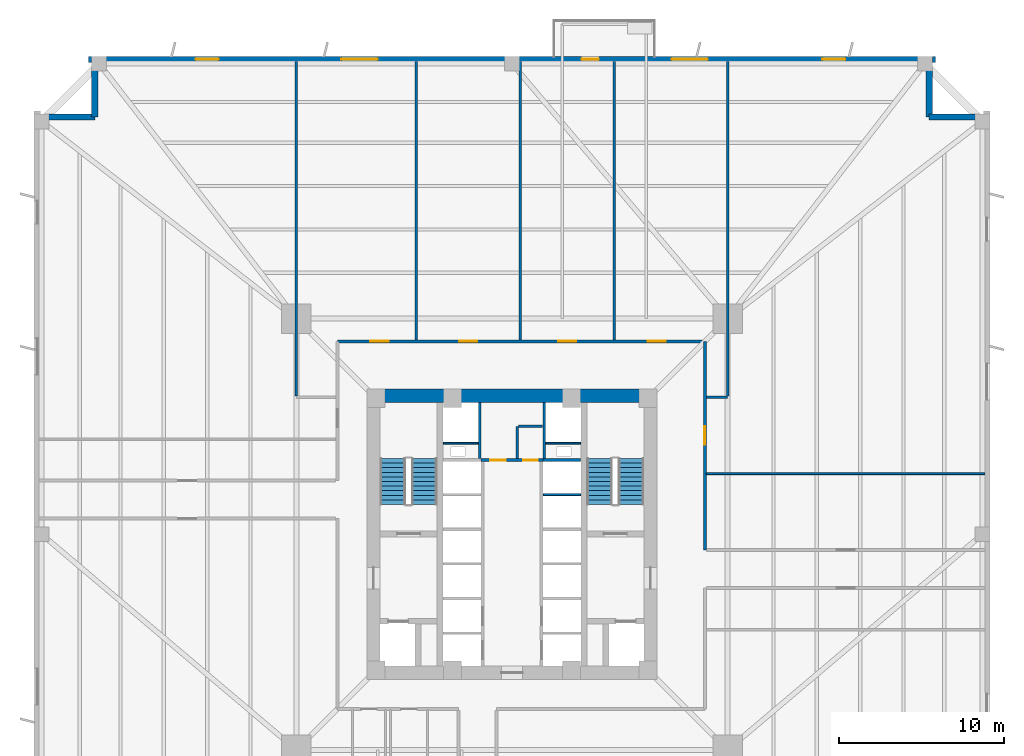
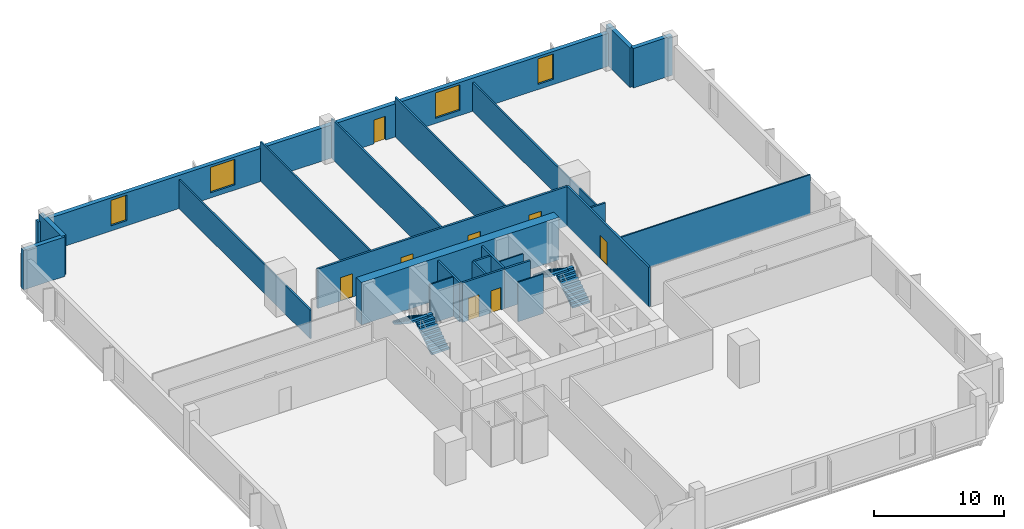
# One storey, part 4 of 8: 24 walls, 8 doors, 4 stair flights, 4 windows, 12 openings, 2 elements without a shape of their own.
"""IFC4 building model written with IfcOpenShell, lengths in metres."""

from ifc_helpers import new_model, si_unit, direction, frame, frame_2d, origin, place, context, subcontext, project, spatial, polyline, rectangle, outline, extrude, source, transform, mapped, material, layer, layer_set, type_object, element, fill, aggregate, save


model = new_model("IFC4")

# Units and contexts
model_context = context("Model", 3, precision=1e-05, world=origin(), true_north=direction((0.0, 1.0)))
body_context = subcontext(model_context, "Body", "Model", "MODEL_VIEW")
ifc_project = project(units=[si_unit("LENGTHUNIT", "METRE"), si_unit("AREAUNIT", "SQUARE_METRE"), si_unit("VOLUMEUNIT", "CUBIC_METRE"), si_unit("PLANEANGLEUNIT", "RADIAN"), si_unit("MASSUNIT", "GRAM", prefix="KILO"), si_unit("THERMODYNAMICTEMPERATUREUNIT", "KELVIN")], contexts=[model_context])

# Site, building, storey
site_placement = place(None, origin())
site = spatial("IfcSite", under=ifc_project, at=site_placement, CompositionType="ELEMENT")
building_placement = place(site_placement, origin())
building = spatial("IfcBuilding", under=site, at=building_placement, Name="Kosmvard Interchange Tower", CompositionType="ELEMENT")
storey_placement = place(building_placement, frame((0.0, 0.0, 42.0)))
storey = spatial("IfcBuildingStorey", under=building, at=storey_placement, Name="L09", CompositionType="ELEMENT", Elevation=42.0)

# Walls
ifc_material_1 = material(Name="Acoustic gypsum partition system")
ifc_layer_1 = layer(ifc_material_1, 0.14990234375, Name="Acoustic gypsum partition system")
ifc_layer_set_1 = layer_set([ifc_layer_1], Name="Acoustic gypsum partition system")
wall_type_1 = type_object("IfcWallType", Name="Acoustic Suite & Meeting Partition 150", PredefinedType="PARTITIONING", material=ifc_layer_set_1)
wall_1_placement = place(storey_placement, frame((-13.0810546875, 8.375, 0.0), z_axis=(0.0, 0.0, 1.0), x_axis=(0.0, 1.0, 0.0)))
element("IfcWall", 1, at=wall_1_placement, inside=storey, type_object=wall_type_1, Name="L09 Room Partition 02.1", PredefinedType="PARTITIONING", context=body_context, shape_type="SweptSolid", body=[
    extrude(rectangle(XDim=20.31005859375, YDim=0.14990234375, at=frame_2d((10.155029296875, 0.0))), origin(), (0.0, 0.0, 1.0), 2.7119140625),
])
for number, where, z_axis, x_axis, name in (
    (2, (-5.800048828125, 11.794921875, 0.0), (0.0, 0.0, 1.0), (0.0, 1.0, 0.0), "L09 Room Partition 03.1"),
    (3, (0.5, 11.794921875, 0.0), (0.0, 0.0, 1.0), (0.0, 1.0, 0.0), "L09 Room Partition 04.1"),
    (4, (6.199951171875, 11.794921875, 0.0), (0.0, 0.0, 1.0), (0.0, 1.0, 0.0), "L09 Room Partition 05.1"),
):
    element("IfcWall", number, at=place(storey_placement, frame(where, z_axis=z_axis, x_axis=x_axis)), inside=storey, type_object=wall_type_1, Name=name, PredefinedType="PARTITIONING", context=body_context, shape_type="SweptSolid", body=[
        extrude(rectangle(XDim=16.89013671875, YDim=0.14990234375, at=frame_2d((8.445068359375, 0.0))), origin(), (0.0, 0.0, 1.0), 3.719970703125),
    ])
wall_2_placement = place(storey_placement, frame((11.794921875, 8.300048828125, 0.0), z_axis=(0.0, 0.0, 1.0), x_axis=(1.0, 0.0, 0.0)))
element("IfcWall", 5, at=wall_2_placement, inside=storey, type_object=wall_type_1, Name="L09 Room Partition 06.1", PredefinedType="PARTITIONING", context=body_context, shape_type="SweptSolid", body=[
    extrude(rectangle(XDim=1.2861328125, YDim=0.14990234375, at=frame_2d((0.64306640625, 0.0))), origin(), (0.0, 0.0, 1.0), 3.719970703125),
])
wall_3_placement = place(storey_placement, frame((13.0810546875, 8.375, 0.0), z_axis=(0.0, 0.0, 1.0), x_axis=(0.0, 1.0, 0.0)))
element("IfcWall", 6, at=wall_3_placement, inside=storey, type_object=wall_type_1, Name="L09 Room Partition 07.1", PredefinedType="PARTITIONING", context=body_context, shape_type="SweptSolid", body=[
    extrude(rectangle(XDim=20.31005859375, YDim=0.14990234375, at=frame_2d((10.155029296875, 0.0))), origin(), (0.0, 0.0, 1.0), 2.7119140625),
])
ifc_material_2 = material(Name="Fire-rated gypsum partition system")
ifc_layer_2 = layer(ifc_material_2, 0.159912109375, Name="Fire-rated gypsum partition system")
ifc_layer_set_2 = layer_set([ifc_layer_2], Name="Fire-rated gypsum partition system")
wall_type_2 = type_object("IfcWallType", Name="Core Compartment & Shuttle Lobby Partition 160", PredefinedType="PARTITIONING", material=ifc_layer_set_2)
for number, where, z_axis, x_axis, name in (
    (7, (-1.9599609375, 4.580078125, 0.0), (0.0, 0.0, 1.0), (0.0, 1.0, 0.0), "L09 North Core West Wall"),
    (8, (1.9599609375, 4.580078125, 0.0), (0.0, 0.0, 1.0), (0.0, 1.0, 0.0), "L09 North Core East Wall"),
):
    element("IfcWall", number, at=place(storey_placement, frame(where, z_axis=z_axis, x_axis=x_axis)), inside=storey, type_object=wall_type_2, Name=name, PredefinedType="PARTITIONING", context=body_context, shape_type="SweptSolid", body=[
        extrude(rectangle(XDim=3.39990234375, YDim=0.159912109375, at=frame_2d((1.699951171875, 0.0))), origin(), (0.0, 0.0, 1.0), 3.719970703125),
    ])
ifc_material_3 = material(Name="Concrete blockwork masonry", Category="masonry")
ifc_layer_3 = layer(ifc_material_3, 0.159912109375, Name="Concrete blockwork masonry")
ifc_layer_set_3 = layer_set([ifc_layer_3], Name="Concrete blockwork masonry")
wall_type_3 = type_object("IfcWallType", Name="Core Enclosure Split Wall 160", PredefinedType="PARTITIONING", material=ifc_layer_set_3)
wall_4_placement = place(storey_placement, frame((0.320068359375, 4.60009765625, 0.0), z_axis=(0.0, 0.0, 1.0), x_axis=(0.0, 1.0, 0.0)))
element("IfcWall", 9, at=wall_4_placement, inside=storey, type_object=wall_type_3, Name="L09 Core K3 L-Wall 1", PredefinedType="PARTITIONING", context=body_context, shape_type="SweptSolid", body=[
    extrude(rectangle(XDim=1.949951171875, YDim=0.159912109375, at=frame_2d((0.97509765625, 0.0))), origin(), (0.0, 0.0, 1.0), 3.719970703125),
])
wall_5_placement = place(storey_placement, frame((0.39990234375, 6.550048828125, 0.0), z_axis=(0.0, 0.0, 1.0), x_axis=(1.0, 0.0, 0.0)))
element("IfcWall", 10, at=wall_5_placement, inside=storey, type_object=wall_type_3, Name="L09 Core K3 L-Wall 2", PredefinedType="PARTITIONING", context=body_context, shape_type="SweptSolid", body=[
    extrude(rectangle(XDim=1.460205078125, YDim=0.159912109375, at=frame_2d((0.72998046875, 0.0))), origin(), (0.0, 0.0, 1.0), 3.719970703125),
])

# Wall, openings, doors
ifc_layer_4 = layer(ifc_material_2, 0.179931640625, Name="Fire-rated gypsum partition system")
ifc_layer_set_4 = layer_set([ifc_layer_4], Name="Fire-rated gypsum partition system")
wall_type_4 = type_object("IfcWallType", Name="Corridor & Hotel Compartment Partition 180", PredefinedType="PARTITIONING", material=ifc_layer_set_4)
wall_6_placement = place(storey_placement, frame((-1.8798828125, 4.489990234375, 0.0), z_axis=(0.0, 0.0, 1.0), x_axis=(1.0, 0.0, 0.0)))
wall_6 = element("IfcWall", 11, at=wall_6_placement, inside=storey, type_object=wall_type_4, Name="L09 Lift Lobby North Partition", PredefinedType="PARTITIONING", context=body_context, shape_type="SweptSolid", body=[
    extrude(rectangle(XDim=3.759765625, YDim=0.179931640625, at=frame_2d((1.8798828125, 0.0))), origin(), (0.0, 0.0, 1.0), 3.719970703125),
])
opening_1_placement = place(wall_6_placement, frame((0.550048828125, 0.0, 0.0)))
opening_1 = element("IfcOpeningElement", 12, at=opening_1_placement, cuts=wall_6, Name="Opening L09-KD1", PredefinedType="OPENING", context=body_context, shape_type="SweptSolid", body=[
    extrude(rectangle(XDim=0.949951171875, YDim=2.10009765625, at=frame_2d((0.47509765625, 1.050048828125))), frame((0.0, 0.10009765625, 0.0), z_axis=(0.0, -1.0, 0.0), x_axis=(1.0, 0.0, 0.0)), (0.0, 0.0, 1.0), 0.199951171875),
])
opening_2_placement = place(wall_6_placement, frame((2.56005859375, 0.0, 0.0)))
opening_2 = element("IfcOpeningElement", 13, at=opening_2_placement, cuts=wall_6, Name="Opening L09-KD2", PredefinedType="OPENING", context=body_context, shape_type="SweptSolid", body=[
    extrude(rectangle(XDim=0.8798828125, YDim=2.10009765625, at=frame_2d((0.43994140625, 1.050048828125))), frame((0.0, 0.10009765625, 0.0), z_axis=(0.0, -1.0, 0.0), x_axis=(1.0, 0.0, 0.0)), (0.0, 0.0, 1.0), 0.199951171875),
])
ifc_material_4 = material(Name="Painted fire-rated timber leaf", Category="wood")
door_type_1 = type_object("IfcDoorType", Name="Core Service Fire Door 950x2100 EI30", OperationType="NOTDEFINED", PredefinedType="DOOR", material=ifc_material_4)
shared_shape_1 = source(origin(), body_context, "Body", "SweptSolid", [
    extrude(rectangle(XDim=0.949951171875, YDim=2.10009765625, at=frame_2d((0.47509765625, 1.050048828125))), frame((0.0, 0.02490234375, 0.0), z_axis=(0.0, -1.0, 0.0), x_axis=(1.0, 0.0, 0.0)), (0.0, 0.0, 1.0), 0.050048828125),
])
door_1_placement = place(opening_1_placement, origin())
door_1 = element("IfcDoor", 14, at=door_1_placement, inside=storey, type_object=door_type_1, Name="L09 Core Archive Store Door", OperationType="SINGLE_SWING_LEFT", OverallHeight=2.10009765625, OverallWidth=0.949951171875, PredefinedType="DOOR", context=body_context, shape_type="MappedRepresentation", body=[
    mapped(shared_shape_1, transform((0.0, 0.0, 0.0), scale=1.0)),
])
fill(opening_1, door_1)
door_type_2 = type_object("IfcDoorType", Name="Core Cupboard Fire Door 880x2100 EI30", OperationType="NOTDEFINED", PredefinedType="DOOR", material=ifc_material_4)
shared_shape_2 = source(origin(), body_context, "Body", "SweptSolid", [
    extrude(rectangle(XDim=0.8798828125, YDim=2.10009765625, at=frame_2d((0.43994140625, 1.050048828125))), frame((0.0, 0.02490234375, 0.0), z_axis=(0.0, -1.0, 0.0), x_axis=(1.0, 0.0, 0.0)), (0.0, 0.0, 1.0), 0.050048828125),
])
door_2_placement = place(opening_2_placement, origin())
door_2 = element("IfcDoor", 15, at=door_2_placement, inside=storey, type_object=door_type_2, Name="L09 Core Supplies Cupboard Door", OperationType="SINGLE_SWING_RIGHT", OverallHeight=2.10009765625, OverallWidth=0.8798828125, PredefinedType="DOOR", context=body_context, shape_type="MappedRepresentation", body=[
    mapped(shared_shape_2, transform((0.0, 0.0, 0.0), scale=1.0)),
])
fill(opening_2, door_2)

wall_7_placement = place(storey_placement, frame((-10.60009765625, 11.699951171875, 0.0), z_axis=(0.0, 0.0, 1.0), x_axis=(1.0, 0.0, 0.0)))
wall_7 = element("IfcWall", 16, at=wall_7_placement, inside=storey, type_object=wall_type_4, Name="L09 Corridor Wall CN", PredefinedType="PARTITIONING", context=body_context, shape_type="SweptSolid", body=[
    extrude(rectangle(XDim=22.300048828125, YDim=0.179931640625, at=frame_2d((11.14990234375, 0.0))), origin(), (0.0, 0.0, 1.0), 3.719970703125),
])
opening_3_placement = place(wall_7_placement, frame((2.014404296875, 0.0, 0.0)))
opening_3 = element("IfcOpeningElement", 17, at=opening_3_placement, cuts=wall_7, Name="Opening L09-D05", PredefinedType="OPENING", context=body_context, shape_type="SweptSolid", body=[
    extrude(rectangle(XDim=1.10009765625, YDim=2.199951171875, at=frame_2d((0.550048828125, 1.10009765625))), frame((0.0, 0.10009765625, 0.0), z_axis=(0.0, -1.0, 0.0), x_axis=(1.0, 0.0, 0.0)), (0.0, 0.0, 1.0), 0.199951171875),
])
opening_4_placement = place(wall_7_placement, frame((7.39990234375, 0.0, 0.0)))
opening_4 = element("IfcOpeningElement", 18, at=opening_4_placement, cuts=wall_7, Name="Opening L09-D06", PredefinedType="OPENING", context=body_context, shape_type="SweptSolid", body=[
    extrude(rectangle(XDim=1.10009765625, YDim=2.199951171875, at=frame_2d((0.550048828125, 1.10009765625))), frame((0.0, 0.10009765625, 0.0), z_axis=(0.0, -1.0, 0.0), x_axis=(1.0, 0.0, 0.0)), (0.0, 0.0, 1.0), 0.199951171875),
])
opening_5_placement = place(wall_7_placement, frame((13.39990234375, 0.0, 0.0)))
opening_5 = element("IfcOpeningElement", 19, at=opening_5_placement, cuts=wall_7, Name="Opening L09-D07", PredefinedType="OPENING", context=body_context, shape_type="SweptSolid", body=[
    extrude(rectangle(XDim=1.10009765625, YDim=2.199951171875, at=frame_2d((0.550048828125, 1.10009765625))), frame((0.0, 0.10009765625, 0.0), z_axis=(0.0, -1.0, 0.0), x_axis=(1.0, 0.0, 0.0)), (0.0, 0.0, 1.0), 0.199951171875),
])
opening_6_placement = place(wall_7_placement, frame((18.83544921875, 0.0, 0.0)))
opening_6 = element("IfcOpeningElement", 20, at=opening_6_placement, cuts=wall_7, Name="Opening L09-D08", PredefinedType="OPENING", context=body_context, shape_type="SweptSolid", body=[
    extrude(rectangle(XDim=1.10009765625, YDim=2.199951171875, at=frame_2d((0.550048828125, 1.10009765625))), frame((0.0, 0.10009765625, 0.0), z_axis=(0.0, -1.0, 0.0), x_axis=(1.0, 0.0, 0.0)), (0.0, 0.0, 1.0), 0.199951171875),
])
ifc_material_5 = material(Name="Engineered oak fire-rated timber", Category="wood")
door_type_3 = type_object("IfcDoorType", Name="Office Suite Entrance Door 1100x2200 FD30S", OperationType="NOTDEFINED", PredefinedType="DOOR", material=ifc_material_5)
shared_shape_3 = source(origin(), body_context, "Body", "SweptSolid", [
    extrude(rectangle(XDim=1.10009765625, YDim=2.199951171875, at=frame_2d((0.550048828125, 1.10009765625))), frame((0.0, 0.02490234375, 0.0), z_axis=(0.0, -1.0, 0.0), x_axis=(1.0, 0.0, 0.0)), (0.0, 0.0, 1.0), 0.050048828125),
])
door_3_placement = place(opening_3_placement, origin())
door_3 = element("IfcDoor", 21, at=door_3_placement, inside=storey, type_object=door_type_3, Name="L09 North Cellular Office 3 Door", OperationType="SINGLE_SWING_LEFT", OverallHeight=2.199951171875, OverallWidth=1.10009765625, PredefinedType="DOOR", context=body_context, shape_type="MappedRepresentation", body=[
    mapped(shared_shape_3, transform((0.0, 0.0, 0.0), scale=1.0)),
])
fill(opening_3, door_3)
door_4_placement = place(opening_4_placement, origin())
door_4 = element("IfcDoor", 22, at=door_4_placement, inside=storey, type_object=door_type_3, Name="L09 North Cellular Office 4 Door", OperationType="SINGLE_SWING_RIGHT", OverallHeight=2.199951171875, OverallWidth=1.10009765625, PredefinedType="DOOR", context=body_context, shape_type="MappedRepresentation", body=[
    mapped(shared_shape_3, transform((0.0, 0.0, 0.0), scale=1.0)),
])
fill(opening_4, door_4)
door_5_placement = place(opening_5_placement, origin())
door_5 = element("IfcDoor", 23, at=door_5_placement, inside=storey, type_object=door_type_3, Name="L09 North Conference Room 1 Door", OperationType="SINGLE_SWING_LEFT", OverallHeight=2.199951171875, OverallWidth=1.10009765625, PredefinedType="DOOR", context=body_context, shape_type="MappedRepresentation", body=[
    mapped(shared_shape_3, transform((0.0, 0.0, 0.0), scale=1.0)),
])
fill(opening_5, door_5)
door_6_placement = place(opening_6_placement, origin())
door_6 = element("IfcDoor", 24, at=door_6_placement, inside=storey, type_object=door_type_3, Name="L09 North Conference Room 2 Door", OperationType="SINGLE_SWING_RIGHT", OverallHeight=2.199951171875, OverallWidth=1.10009765625, PredefinedType="DOOR", context=body_context, shape_type="MappedRepresentation", body=[
    mapped(shared_shape_3, transform((0.0, 0.0, 0.0), scale=1.0)),
])
fill(opening_6, door_6)

# Wall, opening, door
wall_8_placement = place(storey_placement, frame((11.699951171875, -0.949951171875, 0.0), z_axis=(0.0, 0.0, 1.0), x_axis=(0.0, 1.0, 0.0)))
wall_8 = element("IfcWall", 25, at=wall_8_placement, inside=storey, type_object=wall_type_4, Name="L09 Corridor Wall CEN", PredefinedType="PARTITIONING", context=body_context, shape_type="SweptSolid", body=[
    extrude(rectangle(XDim=12.64990234375, YDim=0.179931640625, at=frame_2d((6.324951171875, 0.0))), origin(), (0.0, 0.0, 1.0), 3.719970703125),
])
opening_7_placement = place(wall_8_placement, frame((6.387451171875, 0.0, 0.0)))
opening_7 = element("IfcOpeningElement", 26, at=opening_7_placement, cuts=wall_8, Name="Opening L09-D10", PredefinedType="OPENING", context=body_context, shape_type="SweptSolid", body=[
    extrude(rectangle(XDim=1.10009765625, YDim=2.199951171875, at=frame_2d((0.550048828125, 1.10009765625))), frame((0.0, 0.10009765625, 0.0), z_axis=(0.0, -1.0, 0.0), x_axis=(1.0, 0.0, 0.0)), (0.0, 0.0, 1.0), 0.199951171875),
])
door_7_placement = place(opening_7_placement, frame((1.10009765625, 0.0, 0.0), z_axis=(0.0, 0.0, 1.0), x_axis=(-1.0, 0.0, 0.0)))
door_7 = element("IfcDoor", 27, at=door_7_placement, inside=storey, type_object=door_type_3, Name="L09 East Corner Office 6 Door", OperationType="SINGLE_SWING_RIGHT", OverallHeight=2.199951171875, OverallWidth=1.10009765625, PredefinedType="DOOR", context=body_context, shape_type="MappedRepresentation", body=[
    mapped(shared_shape_3, transform((0.0, 0.0, 0.0), scale=1.0)),
])
fill(opening_7, door_7)

# Walls
ifc_material_6 = material(Name="Concrete C80/95", Category="concrete")
ifc_layer_5 = layer(ifc_material_6, 0.800048828125, Name="Concrete C80/95")
ifc_layer_set_5 = layer_set([ifc_layer_5], Name="Concrete C80/95")
wall_type_5 = type_object("IfcWallType", Name="Lower Core Shear Wall 800 C80/95", PredefinedType="SHEAR", material=ifc_layer_set_5)
wall_9_placement = place(storey_placement, frame((-8.800048828125, 8.39990234375, 0.0), z_axis=(0.0, 0.0, 1.0), x_axis=(1.0, 0.0, 0.0)))
element("IfcWall", 28, at=wall_9_placement, inside=storey, type_object=wall_type_5, Name="L09 Core Shear Wall CW-N", PredefinedType="SHEAR", context=body_context, shape_type="SweptSolid", body=[
    extrude(rectangle(XDim=17.60009765625, YDim=0.800048828125, at=frame_2d((8.800048828125, 0.0))), origin(), (0.0, 0.0, 1.0), 4.0),
])
ifc_material_7 = material(Name="Precast concrete C45/55", Category="concrete")
ifc_layer_6 = layer(ifc_material_7, 0.3798828125, Name="Precast concrete C45/55")
ifc_layer_set_6 = layer_set([ifc_layer_6], Name="Precast concrete C45/55")
wall_type_6 = type_object("IfcWallType", Name="Lower Tower Precast Pier Wall 380 C45/55", PredefinedType="STANDARD", material=ifc_layer_set_6)
wall_10_placement = place(storey_placement, frame((28.81005859375, 25.31005859375, 0.0), z_axis=(0.0, 0.0, 1.0), x_axis=(-1.0, 0.0, 0.0)))
element("IfcWall", 29, at=wall_10_placement, inside=storey, type_object=wall_type_6, Name="L09 Precast Facade Wall N-NE1", PredefinedType="STANDARD", context=body_context, shape_type="SweptSolid", body=[
    extrude(rectangle(XDim=3.5, YDim=0.3798828125, at=frame_2d((1.75, 0.0))), origin(), (0.0, 0.0, 1.0), 3.719970703125),
])
wall_11_placement = place(storey_placement, frame((25.31005859375, 25.31005859375, 0.0), z_axis=(0.0, 0.0, 1.0), x_axis=(0.0, 1.0, 0.0)))
element("IfcWall", 30, at=wall_11_placement, inside=storey, type_object=wall_type_6, Name="L09 Precast Facade Wall N-NE2", PredefinedType="STANDARD", context=body_context, shape_type="SweptSolid", body=[
    extrude(rectangle(XDim=3.68994140625, YDim=0.3798828125, at=frame_2d((1.844970703125, 0.0))), origin(), (0.0, 0.0, 1.0), 3.719970703125),
])

# Wall, openings, door, windows
wall_12_placement = place(storey_placement, frame((25.68994140625, 28.81005859375, 0.0), z_axis=(0.0, 0.0, 1.0), x_axis=(-1.0, 0.0, 0.0)))
wall_12 = element("IfcWall", 31, at=wall_12_placement, inside=storey, type_object=wall_type_6, Name="L09 Precast Facade Wall F-N", PredefinedType="STANDARD", context=body_context, shape_type="SweptSolid", body=[
    extrude(rectangle(XDim=51.3798828125, YDim=0.3798828125, at=frame_2d((25.68994140625, 0.0))), origin(), (0.0, 0.0, 1.0), 3.1201171875),
])
opening_8_placement = place(wall_12_placement, frame((20.4150390625, 0.0, 0.0)))
opening_8 = element("IfcOpeningElement", 32, at=opening_8_placement, cuts=wall_12, Name="Opening L09-BDN", PredefinedType="OPENING", context=body_context, shape_type="SweptSolid", body=[
    extrude(rectangle(XDim=1.050048828125, YDim=2.25, at=frame_2d((0.52490234375, 1.125))), frame((0.0, 0.199951171875, 0.0), z_axis=(0.0, -1.0, 0.0), x_axis=(1.0, 0.0, 0.0)), (0.0, 0.0, 1.0), 0.39990234375),
])
opening_9_placement = place(wall_12_placement, frame((5.465576171875, 0.0, 0.489990234375)))
opening_9 = element("IfcOpeningElement", 33, at=opening_9_placement, cuts=wall_12, Name="Opening L09-W09", PredefinedType="OPENING", context=body_context, shape_type="SweptSolid", body=[
    extrude(rectangle(XDim=1.39990234375, YDim=2.39990234375, at=frame_2d((0.699951171875, 1.199951171875))), frame((0.0, 0.199951171875, 0.0), z_axis=(0.0, -1.0, 0.0), x_axis=(1.0, 0.0, 0.0)), (0.0, 0.0, 1.0), 0.39990234375),
])
opening_10_placement = place(wall_12_placement, frame((13.80029296875, 0.0, 0.489990234375)))
opening_10 = element("IfcOpeningElement", 34, at=opening_10_placement, cuts=wall_12, Name="Opening L09-W10", PredefinedType="OPENING", context=body_context, shape_type="SweptSolid", body=[
    extrude(rectangle(XDim=2.199951171875, YDim=2.39990234375, at=frame_2d((1.10009765625, 1.199951171875))), frame((0.0, 0.199951171875, 0.0), z_axis=(0.0, -1.0, 0.0), x_axis=(1.0, 0.0, 0.0)), (0.0, 0.0, 1.0), 0.39990234375),
])
opening_11_placement = place(wall_12_placement, frame((33.83837890625, 0.0, 0.489990234375)))
opening_11 = element("IfcOpeningElement", 35, at=opening_11_placement, cuts=wall_12, Name="Opening L09-W11", PredefinedType="OPENING", context=body_context, shape_type="SweptSolid", body=[
    extrude(rectangle(XDim=2.199951171875, YDim=2.39990234375, at=frame_2d((1.10009765625, 1.199951171875))), frame((0.0, 0.199951171875, 0.0), z_axis=(0.0, -1.0, 0.0), x_axis=(1.0, 0.0, 0.0)), (0.0, 0.0, 1.0), 0.39990234375),
])
opening_12_placement = place(wall_12_placement, frame((43.48681640625, 0.0, 0.489990234375)))
opening_12 = element("IfcOpeningElement", 36, at=opening_12_placement, cuts=wall_12, Name="Opening L09-W12", PredefinedType="OPENING", context=body_context, shape_type="SweptSolid", body=[
    extrude(rectangle(XDim=1.39990234375, YDim=2.39990234375, at=frame_2d((0.699951171875, 1.199951171875))), frame((0.0, 0.199951171875, 0.0), z_axis=(0.0, -1.0, 0.0), x_axis=(1.0, 0.0, 0.0)), (0.0, 0.0, 1.0), 0.39990234375),
])
ifc_material_8 = material(Name="Anodised aluminium and safety glass", Category="aluminium")
door_type_4 = type_object("IfcDoorType", Name="Tree-Balcony Glazed Door 1050x2250", OperationType="NOTDEFINED", PredefinedType="DOOR", material=ifc_material_8)
shared_shape_4 = source(origin(), body_context, "Body", "SweptSolid", [
    extrude(rectangle(XDim=1.050048828125, YDim=2.25, at=frame_2d((0.52490234375, 1.125))), frame((0.0, 0.02490234375, 0.0), z_axis=(0.0, -1.0, 0.0), x_axis=(1.0, 0.0, 0.0)), (0.0, 0.0, 1.0), 0.050048828125),
])
door_8_placement = place(opening_8_placement, origin())
door_8 = element("IfcDoor", 37, at=door_8_placement, inside=storey, type_object=door_type_4, Name="L09 Tree-Balcony Door BAL-L09-N", OperationType="SINGLE_SWING_RIGHT", OverallHeight=2.25, OverallWidth=1.050048828125, PredefinedType="DOOR", context=body_context, shape_type="MappedRepresentation", body=[
    mapped(shared_shape_4, transform((0.0, 0.0, 0.0), scale=1.0)),
])
fill(opening_8, door_8)
ifc_material_9 = material(Name="Low-E solar-control double glazing", Category="glass")
window_type_1 = type_object("IfcWindowType", Name="Notched Corner Feature Window 1400x2400", PartitioningType="SINGLE_PANEL", PredefinedType="WINDOW", material=ifc_material_9)
shared_shape_5 = source(origin(), body_context, "Body", "SweptSolid", [
    extrude(rectangle(XDim=1.39990234375, YDim=2.39990234375, at=frame_2d((0.699951171875, 1.199951171875))), frame((0.0, 0.030029296875, 0.0), z_axis=(0.0, -1.0, 0.0), x_axis=(1.0, 0.0, 0.0)), (0.0, 0.0, 1.0), 0.06005859375),
])
window_1_placement = place(opening_9_placement, origin())
window_1 = element("IfcWindow", 38, at=window_1_placement, inside=storey, type_object=window_type_1, Name="L09 Facade Punched Window 09", OverallHeight=2.39990234375, OverallWidth=1.39990234375, PartitioningType="SINGLE_PANEL", PredefinedType="WINDOW", context=body_context, shape_type="MappedRepresentation", body=[
    mapped(shared_shape_5, transform((0.0, 0.0, 0.0), scale=1.0)),
])
fill(opening_9, window_1)
window_2_placement = place(opening_12_placement, origin())
window_2 = element("IfcWindow", 39, at=window_2_placement, inside=storey, type_object=window_type_1, Name="L09 Facade Punched Window 12", OverallHeight=2.39990234375, OverallWidth=1.39990234375, PartitioningType="SINGLE_PANEL", PredefinedType="WINDOW", context=body_context, shape_type="MappedRepresentation", body=[
    mapped(shared_shape_5, transform((0.0, 0.0, 0.0), scale=1.0)),
])
fill(opening_12, window_2)
window_type_2 = type_object("IfcWindowType", Name="Zone 1 Office Punched Window 2200x2400", PartitioningType="SINGLE_PANEL", PredefinedType="WINDOW", material=ifc_material_9)
shared_shape_6 = source(origin(), body_context, "Body", "SweptSolid", [
    extrude(rectangle(XDim=2.199951171875, YDim=2.39990234375, at=frame_2d((1.10009765625, 1.199951171875))), frame((0.0, 0.030029296875, 0.0), z_axis=(0.0, -1.0, 0.0), x_axis=(1.0, 0.0, 0.0)), (0.0, 0.0, 1.0), 0.06005859375),
])
window_3_placement = place(opening_10_placement, origin())
window_3 = element("IfcWindow", 40, at=window_3_placement, inside=storey, type_object=window_type_2, Name="L09 Facade Punched Window 10", OverallHeight=2.39990234375, OverallWidth=2.199951171875, PartitioningType="SINGLE_PANEL", PredefinedType="WINDOW", context=body_context, shape_type="MappedRepresentation", body=[
    mapped(shared_shape_6, transform((0.0, 0.0, 0.0), scale=1.0)),
])
fill(opening_10, window_3)
window_4_placement = place(opening_11_placement, origin())
window_4 = element("IfcWindow", 41, at=window_4_placement, inside=storey, type_object=window_type_2, Name="L09 Facade Punched Window 11", OverallHeight=2.39990234375, OverallWidth=2.199951171875, PartitioningType="SINGLE_PANEL", PredefinedType="WINDOW", context=body_context, shape_type="MappedRepresentation", body=[
    mapped(shared_shape_6, transform((0.0, 0.0, 0.0), scale=1.0)),
])
fill(opening_11, window_4)

# Walls
wall_13_placement = place(storey_placement, frame((-25.31005859375, 28.81005859375, 0.0), z_axis=(0.0, 0.0, 1.0), x_axis=(0.0, -1.0, 0.0)))
element("IfcWall", 42, at=wall_13_placement, inside=storey, type_object=wall_type_6, Name="L09 Precast Facade Wall N-NW1", PredefinedType="STANDARD", context=body_context, shape_type="SweptSolid", body=[
    extrude(rectangle(XDim=3.5, YDim=0.3798828125, at=frame_2d((1.75, 0.0))), origin(), (0.0, 0.0, 1.0), 3.719970703125),
])
wall_14_placement = place(storey_placement, frame((-25.31005859375, 25.31005859375, 0.0), z_axis=(0.0, 0.0, 1.0), x_axis=(-1.0, 0.0, 0.0)))
element("IfcWall", 43, at=wall_14_placement, inside=storey, type_object=wall_type_6, Name="L09 Precast Facade Wall N-NW2", PredefinedType="STANDARD", context=body_context, shape_type="SweptSolid", body=[
    extrude(rectangle(XDim=3.68994140625, YDim=0.3798828125, at=frame_2d((1.844970703125, 0.0))), origin(), (0.0, 0.0, 1.0), 3.719970703125),
])
ifc_material_10 = material(Name="Gypsum board partition system")
ifc_layer_7 = layer(ifc_material_10, 0.1201171875, Name="Gypsum board partition system")
ifc_layer_set_7 = layer_set([ifc_layer_7], Name="Gypsum board partition system")
wall_type_7 = type_object("IfcWallType", Name="Office Cellular Partition 120", PredefinedType="PARTITIONING", material=ifc_layer_set_7)
wall_15_placement = place(storey_placement, frame((11.794921875, 3.675048828125, 0.0), z_axis=(0.0, 0.0, 1.0), x_axis=(1.0, 0.0, 0.0)))
element("IfcWall", 44, at=wall_15_placement, inside=storey, type_object=wall_type_7, Name="L09 Room Partition 09.1", PredefinedType="PARTITIONING", context=body_context, shape_type="SweptSolid", body=[
    extrude(rectangle(XDim=16.89013671875, YDim=0.1201171875, at=frame_2d((8.445068359375, 0.0))), origin(), (0.0, 0.0, 1.0), 3.719970703125),
])
ifc_layer_8 = layer(ifc_material_3, 0.179931640625, Name="Concrete blockwork masonry")
ifc_layer_set_8 = layer_set([ifc_layer_8], Name="Concrete blockwork masonry")
wall_type_8 = type_object("IfcWallType", Name="Riser & Lift Bank Divider Wall 180", PredefinedType="PARTITIONING", material=ifc_layer_set_8)
wall_16_placement = place(storey_placement, frame((1.889892578125, 4.489990234375, 0.0), z_axis=(0.0, 0.0, 1.0), x_axis=(1.0, 0.0, 0.0)))
element("IfcWall", 45, at=wall_16_placement, inside=storey, type_object=wall_type_8, Name="L09 East Bank Divider BD3", PredefinedType="PARTITIONING", context=body_context, shape_type="SweptSolid", body=[
    extrude(rectangle(XDim=2.280029296875, YDim=0.179931640625, at=frame_2d((1.14013671875, 0.0))), origin(), (0.0, 0.0, 1.0), 3.719970703125),
])
ifc_material_11 = material(Name="Fire-rated gypsum shaftwall system")
ifc_layer_9 = layer(ifc_material_11, 0.1201171875, Name="Fire-rated gypsum shaftwall system")
ifc_layer_set_9 = layer_set([ifc_layer_9], Name="Fire-rated gypsum shaftwall system")
wall_type_9 = type_object("IfcWallType", Name="Shaft & Riser Fire Partition 120 EI60", PredefinedType="PARTITIONING", material=ifc_layer_set_9)
wall_17_placement = place(storey_placement, frame((1.89990234375, 2.39990234375, 0.0), z_axis=(0.0, 0.0, 1.0), x_axis=(1.0, 0.0, 0.0)))
element("IfcWall", 46, at=wall_17_placement, inside=storey, type_object=wall_type_9, Name="L09 Shaft Divider PL-H3", PredefinedType="PARTITIONING", context=body_context, shape_type="SweptSolid", body=[
    extrude(rectangle(XDim=2.260009765625, YDim=0.1201171875, at=frame_2d((1.1298828125, 0.0))), origin(), (0.0, 0.0, 1.0), 3.719970703125),
])
for number, where, z_axis, x_axis, name in (
    (47, (-4.159912109375, 5.52001953125, 0.0), (0.0, 0.0, 1.0), (1.0, 0.0, 0.0), "L09 Riser Shaft Divider W"),
    (48, (2.06005859375, 5.52001953125, 0.0), (0.0, 0.0, 1.0), (1.0, 0.0, 0.0), "L09 Riser Shaft Divider E"),
):
    element("IfcWall", number, at=place(storey_placement, frame(where, z_axis=z_axis, x_axis=x_axis)), inside=storey, type_object=wall_type_9, Name=name, PredefinedType="PARTITIONING", context=body_context, shape_type="SweptSolid", body=[
        extrude(rectangle(XDim=2.099853515625, YDim=0.1201171875, at=frame_2d((1.0498046875, 0.0))), origin(), (0.0, 0.0, 1.0), 3.719970703125),
    ])

# Stair, stair flights
ifc_material_12 = material(Name="Concrete C50/60", Category="concrete")
stair_type = type_object("IfcStairType", Name="Dog-Leg Core Exit Stair H4000 C50/60", PredefinedType="HALF_TURN_STAIR", material=ifc_material_12)
stair_1_placement = place(storey_placement, origin())
stair_1 = element("IfcStair", 49, at=stair_1_placement, inside=storey, type_object=stair_type, Name="L09 Protected Exit Stair ST-1", PredefinedType="HALF_TURN_STAIR")
stair_flight_type = type_object("IfcStairFlightType", Name="Core Stair Flight W1550 H4000 C50/60", PredefinedType="STRAIGHT", material=ifc_material_12)
shared_shape_7 = source(origin(), body_context, "Body", "SweptSolid", [
    extrude(outline(polyline([(0.0, 0.0), (0.0, 0.181884765625), (0.280029296875, 0.181884765625), (0.280029296875, 0.363525390625), (0.56005859375, 0.363525390625), (0.56005859375, 0.54541015625), (0.840087890625, 0.54541015625), (0.840087890625, 0.727294921875), (1.1201171875, 0.727294921875), (1.1201171875, 0.9091796875), (1.39990234375, 0.9091796875), (1.39990234375, 1.0908203125), (1.679931640625, 1.0908203125), (1.679931640625, 1.272705078125), (1.9599609375, 1.272705078125), (1.9599609375, 1.45458984375), (2.239990234375, 1.45458984375), (2.239990234375, 1.636474609375), (2.52001953125, 1.636474609375), (2.52001953125, 1.818115234375), (2.800048828125, 1.818115234375), (2.800048828125, 2.0), (2.800048828125, 1.62744140625), (0.293701171875, 0.0), (0.0, 0.0)])), frame((0.0, 0.77490234375, 0.0), z_axis=(0.0, -1.0, 0.0), x_axis=(1.0, 0.0, 0.0)), (0.0, 0.0, 1.0), 1.550048828125),
])
stair_flight_1_placement = place(storey_placement, frame((-5.31494140625, 1.800048828125, 0.0), z_axis=(0.0, 0.0, 1.0), x_axis=(0.0, 1.0, 0.0)))
stair_flight_1 = element("IfcStairFlight", 50, at=stair_flight_1_placement, type_object=stair_flight_type, Name="ST-1 flight 1", NumberOfRisers=11, NumberOfTreads=10, PredefinedType="STRAIGHT", RiserHeight=0.181818182, TreadLength=0.28, context=body_context, shape_type="MappedRepresentation", body=[
    mapped(shared_shape_7, transform((0.0, 0.0, 0.0), scale=1.0)),
])
stair_flight_2_placement = place(storey_placement, frame((-7.22509765625, 4.60009765625, 2.0), z_axis=(0.0, 0.0, 1.0), x_axis=(0.0, -1.0, 0.0)))
stair_flight_2 = element("IfcStairFlight", 51, at=stair_flight_2_placement, type_object=stair_flight_type, Name="ST-1 flight 2", NumberOfRisers=11, NumberOfTreads=10, PredefinedType="STRAIGHT", RiserHeight=0.181818182, TreadLength=0.28, context=body_context, shape_type="MappedRepresentation", body=[
    mapped(shared_shape_7, transform((0.0, 0.0, 0.0), scale=1.0)),
])
aggregate(stair_1, [stair_flight_1, stair_flight_2])

stair_2_placement = place(storey_placement, origin())
stair_2 = element("IfcStair", 52, at=stair_2_placement, inside=storey, type_object=stair_type, Name="L09 Protected Exit Stair ST-2", PredefinedType="HALF_TURN_STAIR")
stair_flight_3_placement = place(storey_placement, frame((7.22509765625, 1.800048828125, 0.0), z_axis=(0.0, 0.0, 1.0), x_axis=(0.0, 1.0, 0.0)))
stair_flight_3 = element("IfcStairFlight", 53, at=stair_flight_3_placement, type_object=stair_flight_type, Name="ST-2 flight 1", NumberOfRisers=11, NumberOfTreads=10, PredefinedType="STRAIGHT", RiserHeight=0.181818182, TreadLength=0.28, context=body_context, shape_type="MappedRepresentation", body=[
    mapped(shared_shape_7, transform((0.0, 0.0, 0.0), scale=1.0)),
])
stair_flight_4_placement = place(storey_placement, frame((5.31494140625, 4.60009765625, 2.0), z_axis=(0.0, 0.0, 1.0), x_axis=(0.0, -1.0, 0.0)))
stair_flight_4 = element("IfcStairFlight", 54, at=stair_flight_4_placement, type_object=stair_flight_type, Name="ST-2 flight 2", NumberOfRisers=11, NumberOfTreads=10, PredefinedType="STRAIGHT", RiserHeight=0.181818182, TreadLength=0.28, context=body_context, shape_type="MappedRepresentation", body=[
    mapped(shared_shape_7, transform((0.0, 0.0, 0.0), scale=1.0)),
])
aggregate(stair_2, [stair_flight_3, stair_flight_4])

save(model, "model.ifc")
